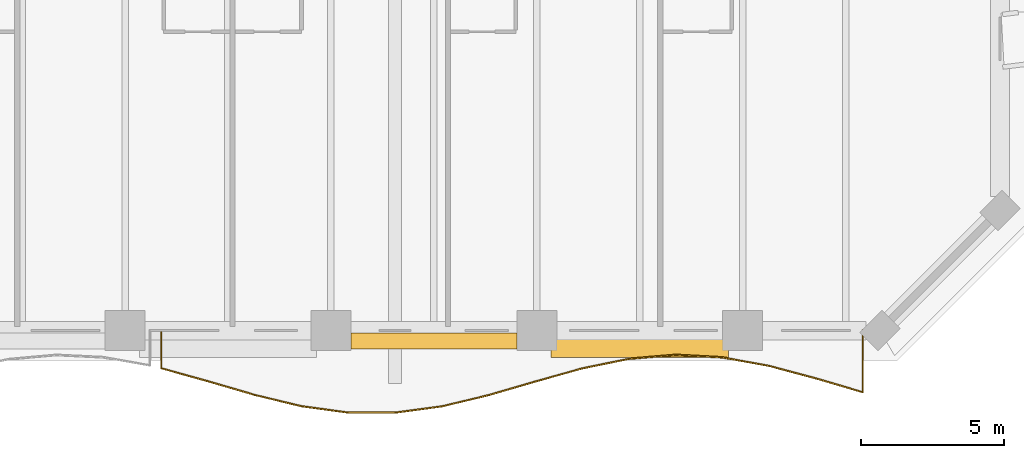
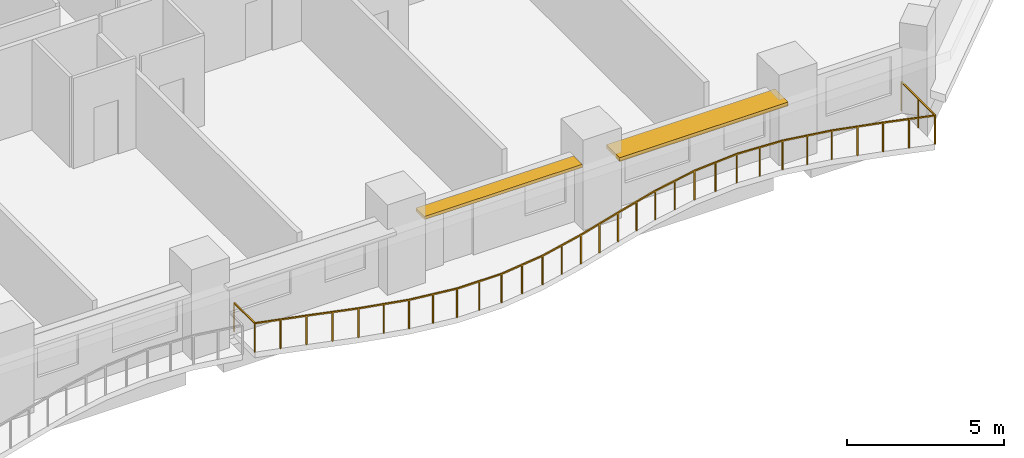
# One storey, part 14 of 15: 2 shading devices, 1 railing.
"""IFC4 building model written with IfcOpenShell, lengths in metres."""

from ifc_helpers import new_model, si_unit, direction, frame, origin, origin_2d, place, context, subcontext, project, spatial, rectangle, extrude, material, layer, layer_set, type_object, element, save


model = new_model("IFC4")

# Units and contexts
model_context = context("Model", 3, precision=1e-05, world=origin(), true_north=direction((0.0, 1.0)))
body_context = subcontext(model_context, "Body", "Model", "MODEL_VIEW")
ifc_project = project(units=[si_unit("LENGTHUNIT", "METRE"), si_unit("AREAUNIT", "SQUARE_METRE"), si_unit("VOLUMEUNIT", "CUBIC_METRE"), si_unit("PLANEANGLEUNIT", "RADIAN"), si_unit("MASSUNIT", "GRAM", prefix="KILO")], contexts=[model_context])

# Site, building, storey
site_placement = place(None, origin())
site = spatial("IfcSite", under=ifc_project, at=site_placement, CompositionType="ELEMENT")
building_placement = place(site_placement, origin())
building = spatial("IfcBuilding", under=site, at=building_placement, Name="Kaelvorn Grand Hotel", CompositionType="ELEMENT")
storey_placement = place(building_placement, frame((0.0, 0.0, 61.39990234375)))
storey = spatial("IfcBuildingStorey", under=building, at=storey_placement, Name="L13", CompositionType="ELEMENT", Elevation=61.39990234375)

# Railing
ifc_material_1 = material(Name="Stainless Steel", Category="steel")
railing_type = type_object("IfcRailingType", Name="RL-BALC-1150", PredefinedType="BALUSTRADE", material=ifc_material_1)
railing_placement = place(storey_placement, frame((54.666748046875, 0.0, 0.0)))
element("IfcRailing", 1, at=railing_placement, inside=storey, type_object=railing_type, Name="L13 Scalloped Wave Balcony Balustrade GR1-3", PredefinedType="BALUSTRADE", context=body_context, shape_type="SweptSolid", body=[
    extrude(rectangle(XDim=0.048095703125, YDim=0.048095703125, at=origin_2d()), frame((0.0, 0.0, 1.1259765625), z_axis=(0.0, -1.0, 0.0), x_axis=(1.0, 0.0, 0.0)), (0.0, 0.0, 1.0), 1.318359375),
    extrude(rectangle(XDim=0.048095703125, YDim=0.048095703125, at=origin_2d()), frame((0.0, -1.318359375, 1.1259765625), z_axis=(0.963251690304, -0.268600411627, 0.0), x_axis=(0.268600411627, 0.963251690304, 0.0)), (0.0, 0.0, 1.0), 1.697998046875),
    extrude(rectangle(XDim=0.048095703125, YDim=0.048095703125, at=origin_2d()), frame((1.635498046875, -1.7744140625, 1.1259765625), z_axis=(0.959763780104, -0.280808629498, 0.0), x_axis=(0.280808629498, 0.959763780104, 0.0)), (0.0, 0.0, 1.0), 1.7041015625),
    extrude(rectangle(XDim=0.048095703125, YDim=0.048095703125, at=origin_2d()), frame((3.27099609375, -2.2529296875, 1.1259765625), z_axis=(0.972148369978, -0.234366266236, 0.0), x_axis=(0.234366266236, 0.972148369978, 0.0)), (0.0, 0.0, 1.0), 1.682373046875),
    extrude(rectangle(XDim=0.048095703125, YDim=0.048095703125, at=origin_2d()), frame((4.906494140625, -2.647216796875, 1.1259765625), z_axis=(0.990842762627, -0.13502081228, 0.0), x_axis=(0.13502081228, 0.990842762627, 0.0)), (0.0, 0.0, 1.0), 1.65087890625),
    extrude(rectangle(XDim=0.048095703125, YDim=0.048095703125, at=origin_2d()), frame((6.542236328125, -2.8701171875, 1.1259765625), z_axis=(0.999999286934, -0.001194207239, 0.0), x_axis=(0.001194207239, 0.999999286934, 0.0)), (0.0, 0.0, 1.0), 1.635498046875),
    extrude(rectangle(XDim=0.048095703125, YDim=0.048095703125, at=origin_2d()), frame((8.177734375, -2.8720703125, 1.1259765625), z_axis=(0.991115126173, 0.133006791824, 0.0), x_axis=(-0.133006791824, 0.991115126173, 0.0)), (0.0, 0.0, 1.0), 1.650146484375),
    extrude(rectangle(XDim=0.048095703125, YDim=0.048095703125, at=origin_2d()), frame((9.813232421875, -2.652587890625, 1.1259765625), z_axis=(0.972412331171, 0.233268639527, 0.0), x_axis=(-0.233268639527, 0.972412331171, 0.0)), (0.0, 0.0, 1.0), 1.681884765625),
    extrude(rectangle(XDim=0.048095703125, YDim=0.048095703125, at=origin_2d()), frame((11.44873046875, -2.26025390625, 1.1259765625), z_axis=(0.959890814744, 0.280374078277, 0.0), x_axis=(-0.280374078277, 0.959890814744, 0.0)), (0.0, 0.0, 1.0), 1.7041015625),
    extrude(rectangle(XDim=0.048095703125, YDim=0.048095703125, at=origin_2d()), frame((13.08447265625, -1.782470703125, 1.1259765625), z_axis=(0.963065481096, 0.269267300506, 0.0), x_axis=(-0.269267300506, 0.963065481096, 0.0)), (0.0, 0.0, 1.0), 1.6982421875),
    extrude(rectangle(XDim=0.048095703125, YDim=0.048095703125, at=origin_2d()), frame((14.719970703125, -1.3251953125, 1.1259765625), z_axis=(0.979635901777, 0.200782220203, 0.0), x_axis=(-0.200782220203, 0.979635901777, 0.0)), (0.0, 0.0, 1.0), 1.66943359375),
    extrude(rectangle(XDim=0.048095703125, YDim=0.048095703125, at=origin_2d()), frame((16.35546875, -0.989990234375, 1.1259765625), z_axis=(0.996424697857, 0.084485628957, 0.0), x_axis=(-0.084485628957, 0.996424697857, 0.0)), (0.0, 0.0, 1.0), 1.641357421875),
    extrude(rectangle(XDim=0.048095703125, YDim=0.048095703125, at=origin_2d()), frame((17.990966796875, -0.851318359375, 1.1259765625), z_axis=(0.998527034958, -0.054256432412, 0.0), x_axis=(0.054256432412, 0.998527034958, 0.0)), (0.0, 0.0, 1.0), 1.637939453125),
    extrude(rectangle(XDim=0.048095703125, YDim=0.048095703125, at=origin_2d()), frame((19.62646484375, -0.940185546875, 1.1259765625), z_axis=(0.983977821186, -0.178290906704, 0.0), x_axis=(0.178290906704, 0.983977821186, 0.0)), (0.0, 0.0, 1.0), 1.662353515625),
    extrude(rectangle(XDim=0.048095703125, YDim=0.048095703125, at=origin_2d()), frame((21.26220703125, -1.236572265625, 1.1259765625), z_axis=(0.965925524936, -0.258820169766, 0.0), x_axis=(0.258820169766, 0.965925524936, 0.0)), (0.0, 0.0, 1.0), 1.693115234375),
    extrude(rectangle(XDim=0.048095703125, YDim=0.048095703125, at=origin_2d()), frame((22.897705078125, -1.6748046875, 1.1259765625), z_axis=(0.959105197492, -0.283049854522, 0.0), x_axis=(0.283049854522, 0.959105197492, 0.0)), (0.0, 0.0, 1.0), 1.705322265625),
    extrude(rectangle(XDim=0.048095703125, YDim=0.048095703125, at=origin_2d()), frame((24.533203125, -2.157470703125, 1.1259765625), z_axis=(0.0, 1.0, 0.0), x_axis=(-1.0, 0.0, 0.0)), (0.0, 0.0, 1.0), 2.157470703125),
    extrude(rectangle(XDim=0.0419921875, YDim=0.0419921875, at=origin_2d()), origin(), (0.0, 0.0, 1.0), 1.101806640625),
    extrude(rectangle(XDim=0.0419921875, YDim=0.0419921875, at=origin_2d()), frame((0.0, -1.318359375, 0.0)), (0.0, 0.0, 1.0), 1.101806640625),
    extrude(rectangle(XDim=0.0419921875, YDim=0.0419921875, at=origin_2d()), frame((0.81787109375, -1.54638671875, 0.0)), (0.0, 0.0, 1.0), 1.101806640625),
    extrude(rectangle(XDim=0.0419921875, YDim=0.0419921875, at=origin_2d()), frame((1.635498046875, -1.7744140625, 0.0)), (0.0, 0.0, 1.0), 1.101806640625),
    extrude(rectangle(XDim=0.0419921875, YDim=0.0419921875, at=origin_2d()), frame((2.453125, -2.013671875, 0.0)), (0.0, 0.0, 1.0), 1.101806640625),
    extrude(rectangle(XDim=0.0419921875, YDim=0.0419921875, at=origin_2d()), frame((3.27099609375, -2.2529296875, 0.0)), (0.0, 0.0, 1.0), 1.101806640625),
    extrude(rectangle(XDim=0.0419921875, YDim=0.0419921875, at=origin_2d()), frame((4.0888671875, -2.4501953125, 0.0)), (0.0, 0.0, 1.0), 1.101806640625),
    extrude(rectangle(XDim=0.0419921875, YDim=0.0419921875, at=origin_2d()), frame((4.906494140625, -2.647216796875, 0.0)), (0.0, 0.0, 1.0), 1.101806640625),
    extrude(rectangle(XDim=0.0419921875, YDim=0.0419921875, at=origin_2d()), frame((5.724365234375, -2.7587890625, 0.0)), (0.0, 0.0, 1.0), 1.101806640625),
    extrude(rectangle(XDim=0.0419921875, YDim=0.0419921875, at=origin_2d()), frame((6.542236328125, -2.8701171875, 0.0)), (0.0, 0.0, 1.0), 1.101806640625),
    extrude(rectangle(XDim=0.0419921875, YDim=0.0419921875, at=origin_2d()), frame((7.35986328125, -2.87109375, 0.0)), (0.0, 0.0, 1.0), 1.101806640625),
    extrude(rectangle(XDim=0.0419921875, YDim=0.0419921875, at=origin_2d()), frame((8.177734375, -2.8720703125, 0.0)), (0.0, 0.0, 1.0), 1.101806640625),
    extrude(rectangle(XDim=0.0419921875, YDim=0.0419921875, at=origin_2d()), frame((8.99560546875, -2.76220703125, 0.0)), (0.0, 0.0, 1.0), 1.101806640625),
    extrude(rectangle(XDim=0.0419921875, YDim=0.0419921875, at=origin_2d()), frame((9.813232421875, -2.652587890625, 0.0)), (0.0, 0.0, 1.0), 1.101806640625),
    extrude(rectangle(XDim=0.0419921875, YDim=0.0419921875, at=origin_2d()), frame((10.630859375, -2.45654296875, 0.0)), (0.0, 0.0, 1.0), 1.101806640625),
    extrude(rectangle(XDim=0.0419921875, YDim=0.0419921875, at=origin_2d()), frame((11.44873046875, -2.26025390625, 0.0)), (0.0, 0.0, 1.0), 1.101806640625),
    extrude(rectangle(XDim=0.0419921875, YDim=0.0419921875, at=origin_2d()), frame((12.2666015625, -2.021484375, 0.0)), (0.0, 0.0, 1.0), 1.101806640625),
    extrude(rectangle(XDim=0.0419921875, YDim=0.0419921875, at=origin_2d()), frame((13.08447265625, -1.782470703125, 0.0)), (0.0, 0.0, 1.0), 1.101806640625),
    extrude(rectangle(XDim=0.0419921875, YDim=0.0419921875, at=origin_2d()), frame((13.90234375, -1.5537109375, 0.0)), (0.0, 0.0, 1.0), 1.101806640625),
    extrude(rectangle(XDim=0.0419921875, YDim=0.0419921875, at=origin_2d()), frame((14.719970703125, -1.3251953125, 0.0)), (0.0, 0.0, 1.0), 1.101806640625),
    extrude(rectangle(XDim=0.0419921875, YDim=0.0419921875, at=origin_2d()), frame((15.53759765625, -1.15771484375, 0.0)), (0.0, 0.0, 1.0), 1.101806640625),
    extrude(rectangle(XDim=0.0419921875, YDim=0.0419921875, at=origin_2d()), frame((16.35546875, -0.989990234375, 0.0)), (0.0, 0.0, 1.0), 1.101806640625),
    extrude(rectangle(XDim=0.0419921875, YDim=0.0419921875, at=origin_2d()), frame((17.17333984375, -0.920654296875, 0.0)), (0.0, 0.0, 1.0), 1.101806640625),
    extrude(rectangle(XDim=0.0419921875, YDim=0.0419921875, at=origin_2d()), frame((17.990966796875, -0.851318359375, 0.0)), (0.0, 0.0, 1.0), 1.101806640625),
    extrude(rectangle(XDim=0.0419921875, YDim=0.0419921875, at=origin_2d()), frame((18.80859375, -0.895751953125, 0.0)), (0.0, 0.0, 1.0), 1.101806640625),
    extrude(rectangle(XDim=0.0419921875, YDim=0.0419921875, at=origin_2d()), frame((19.62646484375, -0.940185546875, 0.0)), (0.0, 0.0, 1.0), 1.101806640625),
    extrude(rectangle(XDim=0.0419921875, YDim=0.0419921875, at=origin_2d()), frame((20.4443359375, -1.08837890625, 0.0)), (0.0, 0.0, 1.0), 1.101806640625),
    extrude(rectangle(XDim=0.0419921875, YDim=0.0419921875, at=origin_2d()), frame((21.26220703125, -1.236572265625, 0.0)), (0.0, 0.0, 1.0), 1.101806640625),
    extrude(rectangle(XDim=0.0419921875, YDim=0.0419921875, at=origin_2d()), frame((22.080078125, -1.45556640625, 0.0)), (0.0, 0.0, 1.0), 1.101806640625),
    extrude(rectangle(XDim=0.0419921875, YDim=0.0419921875, at=origin_2d()), frame((22.897705078125, -1.6748046875, 0.0)), (0.0, 0.0, 1.0), 1.101806640625),
    extrude(rectangle(XDim=0.0419921875, YDim=0.0419921875, at=origin_2d()), frame((23.71533203125, -1.916015625, 0.0)), (0.0, 0.0, 1.0), 1.101806640625),
    extrude(rectangle(XDim=0.0419921875, YDim=0.0419921875, at=origin_2d()), frame((24.533203125, -2.157470703125, 0.0)), (0.0, 0.0, 1.0), 1.101806640625),
    extrude(rectangle(XDim=0.0419921875, YDim=0.0419921875, at=origin_2d()), frame((24.533203125, -1.07861328125, 0.0)), (0.0, 0.0, 1.0), 1.101806640625),
    extrude(rectangle(XDim=0.0419921875, YDim=0.0419921875, at=origin_2d()), frame((24.533203125, 0.0, 0.0)), (0.0, 0.0, 1.0), 1.101806640625),
])

# Shading devices
ifc_material_2 = material(Name="Precast concrete C45/55", Category="concrete")
ifc_layer_1 = layer(ifc_material_2, 0.1201171875)
ifc_layer_set_1 = layer_set([ifc_layer_1], Name="Precast concrete C45/55")
shading_device_type_1 = type_object("IfcShadingDeviceType", Name="SHD-SUNSHADE-550", PredefinedType="USERDEFINED", material=ifc_layer_set_1)
shading_device_1_placement = place(storey_placement, frame((64.199951171875, -0.364990234375, 2.419921875), z_axis=(0.0, 0.0, 1.0), x_axis=(1.0, 0.0, 0.0)))
element("IfcShadingDevice", 2, at=shading_device_1_placement, inside=storey, type_object=shading_device_type_1, Name="L13 Horizontal Concrete Sunshade Band SS-09", ObjectType="SUNSHADE", PredefinedType="USERDEFINED", context=body_context, shape_type="SweptSolid", body=[
    extrude(rectangle(XDim=5.800048828125, YDim=0.550048828125, at=origin_2d()), origin(), (0.0, 0.0, 1.0), 0.1201171875),
])
ifc_layer_2 = layer(ifc_material_2, 0.139892578125)
ifc_layer_set_2 = layer_set([ifc_layer_2], Name="Precast concrete C45/55")
shading_device_type_2 = type_object("IfcShadingDeviceType", Name="SHD-SUNSHADE-850", PredefinedType="USERDEFINED", material=ifc_layer_set_2)
shading_device_2_placement = place(storey_placement, frame((71.39990234375, -0.514892578125, 2.41015625), z_axis=(0.0, 0.0, 1.0), x_axis=(1.0, 0.0, 0.0)))
element("IfcShadingDevice", 3, at=shading_device_2_placement, inside=storey, type_object=shading_device_type_2, Name="L13 Horizontal Concrete Sunshade Band SS-10", ObjectType="SUNSHADE", PredefinedType="USERDEFINED", context=body_context, shape_type="SweptSolid", body=[
    extrude(rectangle(XDim=6.199951171875, YDim=0.85009765625, at=origin_2d()), origin(), (0.0, 0.0, 1.0), 0.139892578125),
])

save(model, "model.ifc")
